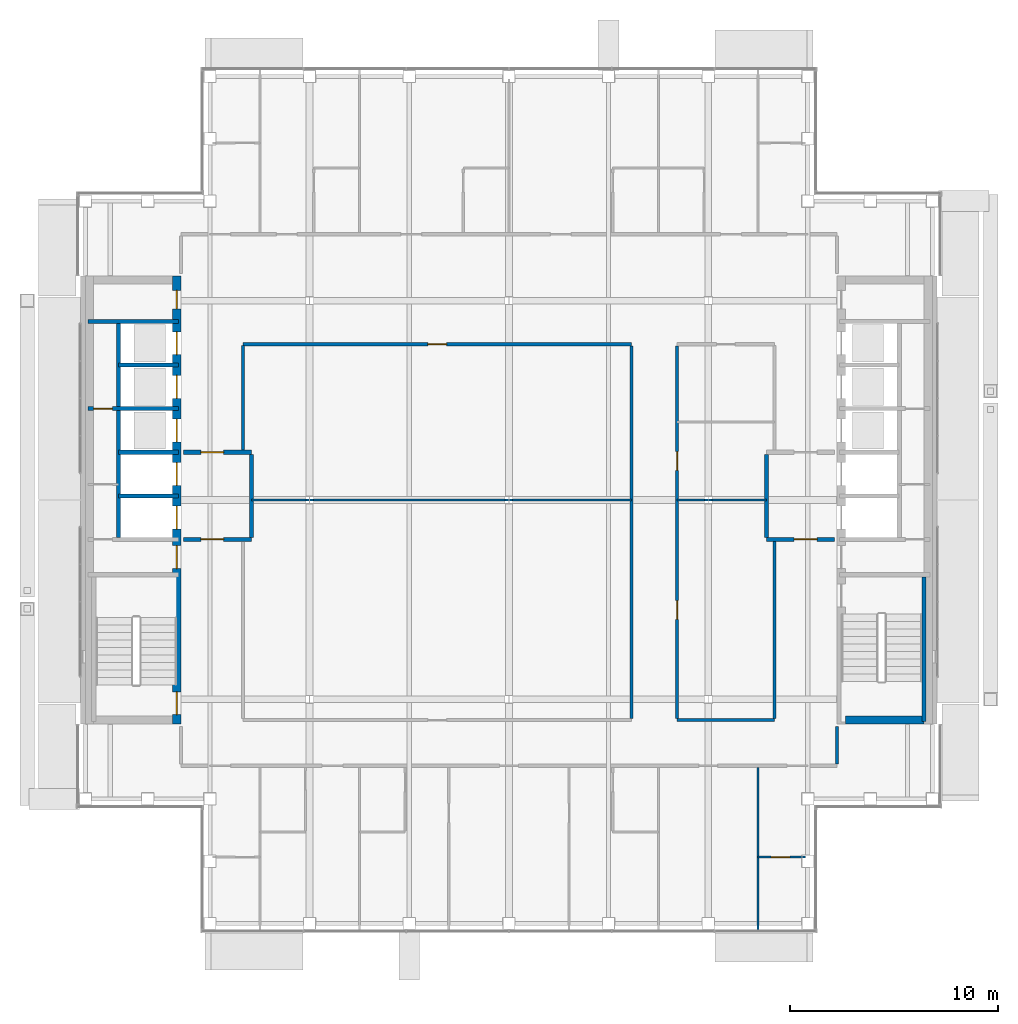
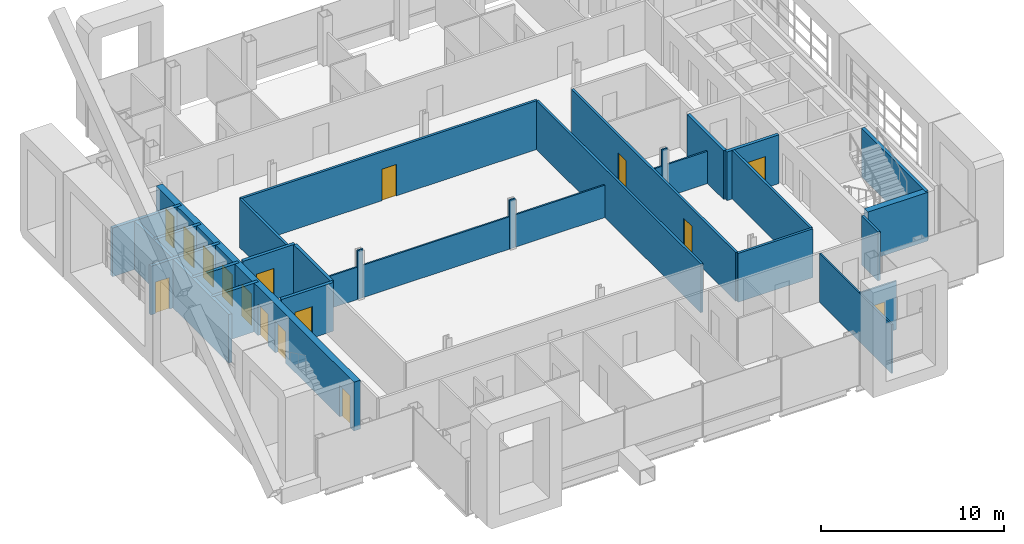
# One storey, part 13 of 23: 32 walls, 16 doors, 16 openings.
"""IFC4 building model written with IfcOpenShell, lengths in metres."""

from ifc_helpers import new_model, si_unit, direction, frame, frame_2d, origin, place, context, subcontext, project, spatial, rectangle, extrude, material, layer, layer_set, type_object, element, fill, save


model = new_model("IFC4")

# Units and contexts
model_context = context("Model", 3, precision=1e-05, world=origin(), true_north=direction((0.0, 1.0)))
body_context = subcontext(model_context, "Body", "Model", "MODEL_VIEW")
ifc_project = project(units=[si_unit("LENGTHUNIT", "METRE"), si_unit("AREAUNIT", "SQUARE_METRE"), si_unit("VOLUMEUNIT", "CUBIC_METRE"), si_unit("PLANEANGLEUNIT", "RADIAN"), si_unit("MASSUNIT", "GRAM", prefix="KILO")], contexts=[model_context])

# Site, building, storey
site_placement = place(None, origin())
site = spatial("IfcSite", under=ifc_project, at=site_placement, CompositionType="ELEMENT")
building_placement = place(site_placement, origin())
building = spatial("IfcBuilding", under=site, at=building_placement, Name="Cobrizo Arcos Hotel Tower", CompositionType="ELEMENT")
storey_placement = place(building_placement, frame((0.0, 0.0, 262.0)))
storey = spatial("IfcBuildingStorey", under=building, at=storey_placement, Name="L69", CompositionType="ELEMENT", Elevation=262.0)

# Wall
ifc_material_1 = material(Name="Gypsum board partition")
ifc_layer_1 = layer(ifc_material_1, 0.14990234375)
ifc_layer_set_1 = layer_set([ifc_layer_1], Name="Corridor wall EI 60 150")
wall_type_1 = type_object("IfcWallType", Name="Corridor wall EI 60 150", PredefinedType="PARTITIONING", material=ifc_layer_set_1)
wall_1_placement = place(storey_placement, frame((8.10009765625, -10.60009765625, 0.0), z_axis=(0.0, 0.0, 1.0), x_axis=(1.0, 0.0, 0.0)))
element("IfcWall", 1, at=wall_1_placement, inside=storey, type_object=wall_type_1, Name="Partition 008", PredefinedType="PARTITIONING", context=body_context, shape_type="SweptSolid", body=[
    extrude(rectangle(XDim=4.699951171875, YDim=0.14990234375, at=frame_2d((2.35009765625, 0.0))), origin(), (0.0, 0.0, 1.0), 3.25),
])

# Wall, opening, door
wall_2_placement = place(storey_placement, frame((-12.800048828125, 7.5, 0.0), z_axis=(0.0, 0.0, 1.0), x_axis=(1.0, 0.0, 0.0)))
wall_2 = element("IfcWall", 2, at=wall_2_placement, inside=storey, type_object=wall_type_1, Name="Partition 036", PredefinedType="PARTITIONING", context=body_context, shape_type="SweptSolid", body=[
    extrude(rectangle(XDim=18.699951171875, YDim=0.14990234375, at=frame_2d((9.35009765625, 0.0))), origin(), (0.0, 0.0, 1.0), 3.25),
])
opening_1_placement = place(wall_2_placement, frame((8.89990234375, 0.0, 0.0)))
opening_1 = element("IfcOpeningElement", 3, at=opening_1_placement, cuts=wall_2, Name="Opening RD-14", PredefinedType="OPENING", context=body_context, shape_type="SweptSolid", body=[
    extrude(rectangle(XDim=0.89990234375, YDim=2.10009765625, at=frame_2d((0.449951171875, 1.050048828125))), frame((0.0, 0.0869140625, 0.0), z_axis=(0.0, -1.0, 0.0), x_axis=(1.0, 0.0, 0.0)), (0.0, 0.0, 1.0), 0.173828125),
])
ifc_material_2 = material(Name="Timber door leaf", Category="wood")
door_type_1 = type_object("IfcDoorType", Name="Room door FD30 900x2100", OperationType="SINGLE_SWING_LEFT", PredefinedType="DOOR", material=ifc_material_2)
door_1_placement = place(opening_1_placement, origin())
door_1 = element("IfcDoor", 4, at=door_1_placement, inside=storey, type_object=door_type_1, Name="Door RD-14", OperationType="SINGLE_SWING_RIGHT", OverallHeight=2.10009765625, OverallWidth=0.89990234375, PredefinedType="DOOR", context=body_context, shape_type="SweptSolid", body=[
    extrude(rectangle(XDim=0.89990234375, YDim=2.10009765625, at=frame_2d((0.449951171875, 1.050048828125))), frame((0.0, 0.02490234375, 0.0), z_axis=(0.0, -1.0, 0.0), x_axis=(1.0, 0.0, 0.0)), (0.0, 0.0, 1.0), 0.050048828125),
])
fill(opening_1, door_1)

# Walls
wall_3_placement = place(storey_placement, frame((-12.800048828125, 2.39990234375, 0.0), z_axis=(0.0, 0.0, 1.0), x_axis=(0.0, 1.0, 0.0)))
element("IfcWall", 5, at=wall_3_placement, inside=storey, type_object=wall_type_1, Name="Partition 052", PredefinedType="PARTITIONING", context=body_context, shape_type="SweptSolid", body=[
    extrude(rectangle(XDim=5.050048828125, YDim=0.14990234375, at=frame_2d((2.52490234375, 0.0))), origin(), (0.0, 0.0, 1.0), 3.25),
])
wall_4_placement = place(storey_placement, frame((5.89990234375, -10.52490234375, 0.0), z_axis=(0.0, 0.0, 1.0), x_axis=(0.0, 1.0, 0.0)))
element("IfcWall", 6, at=wall_4_placement, inside=storey, type_object=wall_type_1, Name="Partition 067", PredefinedType="PARTITIONING", context=body_context, shape_type="SweptSolid", body=[
    extrude(rectangle(XDim=17.949951171875, YDim=0.14990234375, at=frame_2d((8.97509765625, 0.0))), origin(), (0.0, 0.0, 1.0), 3.25),
])

# Wall, openings, doors
wall_5_placement = place(storey_placement, frame((8.10009765625, -10.52490234375, 0.0), z_axis=(0.0, 0.0, 1.0), x_axis=(0.0, 1.0, 0.0)))
wall_5 = element("IfcWall", 7, at=wall_5_placement, inside=storey, type_object=wall_type_1, Name="Partition 071", PredefinedType="PARTITIONING", context=body_context, shape_type="SweptSolid", body=[
    extrude(rectangle(XDim=17.949951171875, YDim=0.14990234375, at=frame_2d((8.97509765625, 0.0))), origin(), (0.0, 0.0, 1.0), 3.25),
])
opening_2_placement = place(wall_5_placement, frame((11.949951171875, 0.0, 0.0)))
opening_2 = element("IfcOpeningElement", 8, at=opening_2_placement, cuts=wall_5, Name="Opening ED-12", PredefinedType="OPENING", context=body_context, shape_type="SweptSolid", body=[
    extrude(rectangle(XDim=0.89990234375, YDim=2.10009765625, at=frame_2d((0.449951171875, 1.050048828125))), frame((0.0, 0.0869140625, 0.0), z_axis=(0.0, -1.0, 0.0), x_axis=(1.0, 0.0, 0.0)), (0.0, 0.0, 1.0), 0.173828125),
])
opening_3_placement = place(wall_5_placement, frame((4.77490234375, 0.0, 0.0)))
opening_3 = element("IfcOpeningElement", 9, at=opening_3_placement, cuts=wall_5, Name="Opening RD-13", PredefinedType="OPENING", context=body_context, shape_type="SweptSolid", body=[
    extrude(rectangle(XDim=0.89990234375, YDim=2.10009765625, at=frame_2d((0.449951171875, 1.050048828125))), frame((0.0, 0.0869140625, 0.0), z_axis=(0.0, -1.0, 0.0), x_axis=(1.0, 0.0, 0.0)), (0.0, 0.0, 1.0), 0.173828125),
])
door_type_2 = type_object("IfcDoorType", Name="En-suite door 900x2100", OperationType="SINGLE_SWING_LEFT", PredefinedType="DOOR", material=ifc_material_2)
door_2_placement = place(opening_2_placement, origin())
door_2 = element("IfcDoor", 10, at=door_2_placement, inside=storey, type_object=door_type_2, Name="Door ED-12", OperationType="SINGLE_SWING_RIGHT", OverallHeight=2.10009765625, OverallWidth=0.89990234375, PredefinedType="DOOR", context=body_context, shape_type="SweptSolid", body=[
    extrude(rectangle(XDim=0.89990234375, YDim=2.10009765625, at=frame_2d((0.449951171875, 1.050048828125))), frame((0.0, 0.02490234375, 0.0), z_axis=(0.0, -1.0, 0.0), x_axis=(1.0, 0.0, 0.0)), (0.0, 0.0, 1.0), 0.050048828125),
])
fill(opening_2, door_2)
door_3_placement = place(opening_3_placement, origin())
door_3 = element("IfcDoor", 11, at=door_3_placement, inside=storey, type_object=door_type_1, Name="Door RD-13", OperationType="SINGLE_SWING_LEFT", OverallHeight=2.10009765625, OverallWidth=0.89990234375, PredefinedType="DOOR", context=body_context, shape_type="SweptSolid", body=[
    extrude(rectangle(XDim=0.89990234375, YDim=2.10009765625, at=frame_2d((0.449951171875, 1.050048828125))), frame((0.0, 0.02490234375, 0.0), z_axis=(0.0, -1.0, 0.0), x_axis=(1.0, 0.0, 0.0)), (0.0, 0.0, 1.0), 0.050048828125),
])
fill(opening_3, door_3)

# Walls
wall_6_placement = place(storey_placement, frame((12.800048828125, -10.52490234375, 0.0), z_axis=(0.0, 0.0, 1.0), x_axis=(0.0, 1.0, 0.0)))
element("IfcWall", 12, at=wall_6_placement, inside=storey, type_object=wall_type_1, Name="Partition 076", PredefinedType="PARTITIONING", context=body_context, shape_type="SweptSolid", body=[
    extrude(rectangle(XDim=8.52490234375, YDim=0.14990234375, at=frame_2d((4.262451171875, 0.0))), origin(), (0.0, 0.0, 1.0), 3.25),
])
wall_7_placement = place(storey_placement, frame((15.800048828125, -12.72509765625, 0.0), z_axis=(0.0, 0.0, 1.0), x_axis=(0.0, 1.0, 0.0)))
element("IfcWall", 13, at=wall_7_placement, inside=storey, type_object=wall_type_1, Name="Partition 078", PredefinedType="PARTITIONING", context=body_context, shape_type="SweptSolid", body=[
    extrude(rectangle(XDim=1.80517578125, YDim=0.14990234375, at=frame_2d((0.902587890625, 0.0))), origin(), (0.0, 0.0, 1.0), 3.25),
])

# Wall, opening, door
ifc_layer_2 = layer(ifc_material_1, 0.10009765625)
ifc_layer_set_2 = layer_set([ifc_layer_2], Name="Partition EI 30 100")
wall_type_2 = type_object("IfcWallType", Name="Partition EI 30 100", PredefinedType="PARTITIONING", material=ifc_layer_set_2)
wall_8_placement = place(storey_placement, frame((12.0, -17.199951171875, 0.0), z_axis=(0.0, 0.0, 1.0), x_axis=(1.0, 0.0, 0.0)))
wall_8 = element("IfcWall", 14, at=wall_8_placement, inside=storey, type_object=wall_type_2, Name="Partition 002", PredefinedType="PARTITIONING", context=body_context, shape_type="SweptSolid", body=[
    extrude(rectangle(XDim=2.280029296875, YDim=0.10009765625, at=frame_2d((1.14013671875, 0.0))), origin(), (0.0, 0.0, 1.0), 3.25),
])
opening_4_placement = place(wall_8_placement, frame((0.6298828125, 0.0, 0.0)))
opening_4 = element("IfcOpeningElement", 15, at=opening_4_placement, cuts=wall_8, Name="Opening ED-10", PredefinedType="OPENING", context=body_context, shape_type="SweptSolid", body=[
    extrude(rectangle(XDim=0.89990234375, YDim=2.10009765625, at=frame_2d((0.449951171875, 1.050048828125))), frame((0.0, 0.06201171875, 0.0), z_axis=(0.0, -1.0, 0.0), x_axis=(1.0, 0.0, 0.0)), (0.0, 0.0, 1.0), 0.1240234375),
])
door_4_placement = place(opening_4_placement, origin())
door_4 = element("IfcDoor", 16, at=door_4_placement, inside=storey, type_object=door_type_2, Name="Door ED-10", OperationType="SINGLE_SWING_RIGHT", OverallHeight=2.10009765625, OverallWidth=0.89990234375, PredefinedType="DOOR", context=body_context, shape_type="SweptSolid", body=[
    extrude(rectangle(XDim=0.89990234375, YDim=2.10009765625, at=frame_2d((0.449951171875, 1.050048828125))), frame((0.0, 0.02490234375, 0.0), z_axis=(0.0, -1.0, 0.0), x_axis=(1.0, 0.0, 0.0)), (0.0, 0.0, 1.0), 0.050048828125),
])
fill(opening_4, door_4)

# Walls
wall_9_placement = place(storey_placement, frame((-12.39990234375, 0.0, 0.0), z_axis=(0.0, 0.0, 1.0), x_axis=(1.0, 0.0, 0.0)))
element("IfcWall", 17, at=wall_9_placement, inside=storey, type_object=wall_type_2, Name="Partition 015", PredefinedType="PARTITIONING", context=body_context, shape_type="SweptSolid", body=[
    extrude(rectangle(XDim=2.615966796875, YDim=0.10009765625, at=frame_2d((1.30810546875, 0.0))), origin(), (0.0, 0.0, 1.0), 2.159912109375),
])
wall_10_placement = place(storey_placement, frame((-9.783935546875, 0.0, 0.0), z_axis=(0.0, 0.0, 1.0), x_axis=(1.0, 0.0, 0.0)))
element("IfcWall", 18, at=wall_10_placement, inside=storey, type_object=wall_type_2, Name="Partition 016", PredefinedType="PARTITIONING", context=body_context, shape_type="SweptSolid", body=[
    extrude(rectangle(XDim=0.367919921875, YDim=0.10009765625, at=frame_2d((0.18408203125, 0.0))), origin(), (0.0, 0.0, 1.0), 3.25),
])
wall_11_placement = place(storey_placement, frame((-9.416015625, 0.0, 0.0), z_axis=(0.0, 0.0, 1.0), x_axis=(1.0, 0.0, 0.0)))
element("IfcWall", 19, at=wall_11_placement, inside=storey, type_object=wall_type_2, Name="Partition 017", PredefinedType="PARTITIONING", context=body_context, shape_type="SweptSolid", body=[
    extrude(rectangle(XDim=9.23193359375, YDim=0.10009765625, at=frame_2d((4.615966796875, 0.0))), origin(), (0.0, 0.0, 1.0), 2.159912109375),
])
wall_12_placement = place(storey_placement, frame((-0.18408203125, 0.0, 0.0), z_axis=(0.0, 0.0, 1.0), x_axis=(1.0, 0.0, 0.0)))
element("IfcWall", 20, at=wall_12_placement, inside=storey, type_object=wall_type_2, Name="Partition 018", PredefinedType="PARTITIONING", context=body_context, shape_type="SweptSolid", body=[
    extrude(rectangle(XDim=0.3681640625, YDim=0.10009765625, at=frame_2d((0.18408203125, 0.0))), origin(), (0.0, 0.0, 1.0), 3.25),
])
wall_13_placement = place(storey_placement, frame((0.18408203125, 0.0, 0.0), z_axis=(0.0, 0.0, 1.0), x_axis=(1.0, 0.0, 0.0)))
element("IfcWall", 21, at=wall_13_placement, inside=storey, type_object=wall_type_2, Name="Partition 019", PredefinedType="PARTITIONING", context=body_context, shape_type="SweptSolid", body=[
    extrude(rectangle(XDim=5.7158203125, YDim=0.10009765625, at=frame_2d((2.85791015625, 0.0))), origin(), (0.0, 0.0, 1.0), 2.159912109375),
])
wall_14_placement = place(storey_placement, frame((8.10009765625, 0.0, 0.0), z_axis=(0.0, 0.0, 1.0), x_axis=(1.0, 0.0, 0.0)))
element("IfcWall", 22, at=wall_14_placement, inside=storey, type_object=wall_type_2, Name="Partition 020", PredefinedType="PARTITIONING", context=body_context, shape_type="SweptSolid", body=[
    extrude(rectangle(XDim=1.31591796875, YDim=0.10009765625, at=frame_2d((0.657958984375, 0.0))), origin(), (0.0, 0.0, 1.0), 2.159912109375),
])
wall_15_placement = place(storey_placement, frame((9.416015625, 0.0, 0.0), z_axis=(0.0, 0.0, 1.0), x_axis=(1.0, 0.0, 0.0)))
element("IfcWall", 23, at=wall_15_placement, inside=storey, type_object=wall_type_2, Name="Partition 021", PredefinedType="PARTITIONING", context=body_context, shape_type="SweptSolid", body=[
    extrude(rectangle(XDim=0.367919921875, YDim=0.10009765625, at=frame_2d((0.18408203125, 0.0))), origin(), (0.0, 0.0, 1.0), 3.25),
])
wall_16_placement = place(storey_placement, frame((9.783935546875, 0.0, 0.0), z_axis=(0.0, 0.0, 1.0), x_axis=(1.0, 0.0, 0.0)))
element("IfcWall", 24, at=wall_16_placement, inside=storey, type_object=wall_type_2, Name="Partition 022", PredefinedType="PARTITIONING", context=body_context, shape_type="SweptSolid", body=[
    extrude(rectangle(XDim=2.615966796875, YDim=0.10009765625, at=frame_2d((1.30810546875, 0.0))), origin(), (0.0, 0.0, 1.0), 2.159912109375),
])
wall_17_placement = place(storey_placement, frame((12.0, -20.72998046875, 0.0), z_axis=(0.0, 0.0, 1.0), x_axis=(0.0, 1.0, 0.0)))
element("IfcWall", 25, at=wall_17_placement, inside=storey, type_object=wall_type_2, Name="Partition 073", PredefinedType="PARTITIONING", context=body_context, shape_type="SweptSolid", body=[
    extrude(rectangle(XDim=7.85498046875, YDim=0.10009765625, at=frame_2d((3.927490234375, 0.0))), origin(), (0.0, 0.0, 1.0), 3.25),
])
ifc_material_3 = material(Name="Concrete f'c 40 MPa", Category="concrete")
ifc_layer_3 = layer(ifc_material_3, 0.39990234375)
ifc_layer_set_3 = layer_set([ifc_layer_3], Name="RC core wall 400 f'c 40")
wall_type_3 = type_object("IfcWallType", Name="RC core wall 400 f'c 40", PredefinedType="SHEAR", material=ifc_layer_set_3)
wall_18_placement = place(storey_placement, frame((16.199951171875, -10.60009765625, 0.0), z_axis=(0.0, 0.0, 1.0), x_axis=(1.0, 0.0, 0.0)))
element("IfcWall", 26, at=wall_18_placement, inside=storey, type_object=wall_type_3, Name="Core wall CW4, east core, south end, L69", PredefinedType="SHEAR", context=body_context, shape_type="SweptSolid", body=[
    extrude(rectangle(XDim=3.800048828125, YDim=0.39990234375, at=frame_2d((1.89990234375, 0.0))), origin(), (0.0, 0.0, 1.0), 3.25),
])

# Wall, openings, doors
wall_19_placement = place(storey_placement, frame((-16.0, -10.800048828125, 0.0), z_axis=(0.0, 0.0, 1.0), x_axis=(0.0, 1.0, 0.0)))
wall_19 = element("IfcWall", 27, at=wall_19_placement, inside=storey, type_object=wall_type_3, Name="Core wall CW4, west core, inner face, L69", PredefinedType="SHEAR", context=body_context, shape_type="SweptSolid", body=[
    extrude(rectangle(XDim=21.60009765625, YDim=0.39990234375, at=frame_2d((10.800048828125, 0.0))), origin(), (0.0, 0.0, 1.0), 3.25),
])
opening_5_placement = place(wall_19_placement, frame((9.39990234375, 0.0, 0.0)))
opening_5 = element("IfcOpeningElement", 28, at=opening_5_placement, cuts=wall_19, Name="Opening LD-01", PredefinedType="OPENING", context=body_context, shape_type="SweptSolid", body=[
    extrude(rectangle(XDim=1.10009765625, YDim=2.10009765625, at=frame_2d((0.550048828125, 1.050048828125))), frame((0.0, 0.2119140625, 0.0), z_axis=(0.0, -1.0, 0.0), x_axis=(1.0, 0.0, 0.0)), (0.0, 0.0, 1.0), 0.423828125),
])
opening_6_placement = place(wall_19_placement, frame((11.5, 0.0, 0.0)))
opening_6 = element("IfcOpeningElement", 29, at=opening_6_placement, cuts=wall_19, Name="Opening LD-02", PredefinedType="OPENING", context=body_context, shape_type="SweptSolid", body=[
    extrude(rectangle(XDim=1.10009765625, YDim=2.10009765625, at=frame_2d((0.550048828125, 1.050048828125))), frame((0.0, 0.2119140625, 0.0), z_axis=(0.0, -1.0, 0.0), x_axis=(1.0, 0.0, 0.0)), (0.0, 0.0, 1.0), 0.423828125),
])
opening_7_placement = place(wall_19_placement, frame((13.60009765625, 0.0, 0.0)))
opening_7 = element("IfcOpeningElement", 30, at=opening_7_placement, cuts=wall_19, Name="Opening LD-03", PredefinedType="OPENING", context=body_context, shape_type="SweptSolid", body=[
    extrude(rectangle(XDim=1.10009765625, YDim=2.10009765625, at=frame_2d((0.550048828125, 1.050048828125))), frame((0.0, 0.2119140625, 0.0), z_axis=(0.0, -1.0, 0.0), x_axis=(1.0, 0.0, 0.0)), (0.0, 0.0, 1.0), 0.423828125),
])
opening_8_placement = place(wall_19_placement, frame((15.699951171875, 0.0, 0.0)))
opening_8 = element("IfcOpeningElement", 31, at=opening_8_placement, cuts=wall_19, Name="Opening LD-04", PredefinedType="OPENING", context=body_context, shape_type="SweptSolid", body=[
    extrude(rectangle(XDim=1.10009765625, YDim=2.10009765625, at=frame_2d((0.550048828125, 1.050048828125))), frame((0.0, 0.2119140625, 0.0), z_axis=(0.0, -1.0, 0.0), x_axis=(1.0, 0.0, 0.0)), (0.0, 0.0, 1.0), 0.423828125),
])
opening_9_placement = place(wall_19_placement, frame((17.800048828125, 0.0, 0.0)))
opening_9 = element("IfcOpeningElement", 32, at=opening_9_placement, cuts=wall_19, Name="Opening LD-05", PredefinedType="OPENING", context=body_context, shape_type="SweptSolid", body=[
    extrude(rectangle(XDim=1.10009765625, YDim=2.10009765625, at=frame_2d((0.550048828125, 1.050048828125))), frame((0.0, 0.2119140625, 0.0), z_axis=(0.0, -1.0, 0.0), x_axis=(1.0, 0.0, 0.0)), (0.0, 0.0, 1.0), 0.423828125),
])
opening_10_placement = place(wall_19_placement, frame((0.4580078125, 0.0, 0.0)))
opening_10 = element("IfcOpeningElement", 33, at=opening_10_placement, cuts=wall_19, Name="Opening SD-01", PredefinedType="OPENING", context=body_context, shape_type="SweptSolid", body=[
    extrude(rectangle(XDim=1.10009765625, YDim=2.10009765625, at=frame_2d((0.550048828125, 1.050048828125))), frame((0.0, 0.2119140625, 0.0), z_axis=(0.0, -1.0, 0.0), x_axis=(1.0, 0.0, 0.0)), (0.0, 0.0, 1.0), 0.423828125),
])
opening_11_placement = place(wall_19_placement, frame((7.5, 0.0, 0.0)))
opening_11 = element("IfcOpeningElement", 34, at=opening_11_placement, cuts=wall_19, Name="Opening FD-01", PredefinedType="OPENING", context=body_context, shape_type="SweptSolid", body=[
    extrude(rectangle(XDim=1.10009765625, YDim=2.10009765625, at=frame_2d((0.550048828125, 1.050048828125))), frame((0.0, 0.2119140625, 0.0), z_axis=(0.0, -1.0, 0.0), x_axis=(1.0, 0.0, 0.0)), (0.0, 0.0, 1.0), 0.423828125),
])
opening_12_placement = place(wall_19_placement, frame((20.0, 0.0, 0.0)))
opening_12 = element("IfcOpeningElement", 35, at=opening_12_placement, cuts=wall_19, Name="Opening RD-01", PredefinedType="OPENING", context=body_context, shape_type="SweptSolid", body=[
    extrude(rectangle(XDim=0.89990234375, YDim=2.10009765625, at=frame_2d((0.449951171875, 1.050048828125))), frame((0.0, 0.2119140625, 0.0), z_axis=(0.0, -1.0, 0.0), x_axis=(1.0, 0.0, 0.0)), (0.0, 0.0, 1.0), 0.423828125),
])
ifc_material_4 = material(Name="Steel door leaf", Category="steel")
door_type_3 = type_object("IfcDoorType", Name="Fire door FD60 1100x2100", OperationType="SINGLE_SWING_LEFT", PredefinedType="DOOR", material=ifc_material_4)
door_5_placement = place(opening_11_placement, origin())
door_5 = element("IfcDoor", 36, at=door_5_placement, inside=storey, type_object=door_type_3, Name="Door FD-01", OperationType="SINGLE_SWING_LEFT", OverallHeight=2.10009765625, OverallWidth=1.10009765625, PredefinedType="DOOR", context=body_context, shape_type="SweptSolid", body=[
    extrude(rectangle(XDim=1.10009765625, YDim=2.10009765625, at=frame_2d((0.550048828125, 1.050048828125))), frame((0.0, 0.02490234375, 0.0), z_axis=(0.0, -1.0, 0.0), x_axis=(1.0, 0.0, 0.0)), (0.0, 0.0, 1.0), 0.050048828125),
])
fill(opening_11, door_5)
door_type_4 = type_object("IfcDoorType", Name="Lift landing door 1100x2100", OperationType="SLIDING_TO_LEFT", PredefinedType="DOOR", material=ifc_material_4)
door_6_placement = place(opening_5_placement, origin())
door_6 = element("IfcDoor", 37, at=door_6_placement, inside=storey, type_object=door_type_4, Name="Lift landing door LD-01", OperationType="SLIDING_TO_LEFT", OverallHeight=2.10009765625, OverallWidth=1.10009765625, PredefinedType="DOOR", context=body_context, shape_type="SweptSolid", body=[
    extrude(rectangle(XDim=1.10009765625, YDim=2.10009765625, at=frame_2d((0.550048828125, 1.050048828125))), frame((0.0, 0.02490234375, 0.0), z_axis=(0.0, -1.0, 0.0), x_axis=(1.0, 0.0, 0.0)), (0.0, 0.0, 1.0), 0.050048828125),
])
fill(opening_5, door_6)
door_7_placement = place(opening_6_placement, origin())
door_7 = element("IfcDoor", 38, at=door_7_placement, inside=storey, type_object=door_type_4, Name="Lift landing door LD-02", OperationType="SLIDING_TO_LEFT", OverallHeight=2.10009765625, OverallWidth=1.10009765625, PredefinedType="DOOR", context=body_context, shape_type="SweptSolid", body=[
    extrude(rectangle(XDim=1.10009765625, YDim=2.10009765625, at=frame_2d((0.550048828125, 1.050048828125))), frame((0.0, 0.02490234375, 0.0), z_axis=(0.0, -1.0, 0.0), x_axis=(1.0, 0.0, 0.0)), (0.0, 0.0, 1.0), 0.050048828125),
])
fill(opening_6, door_7)
door_8_placement = place(opening_7_placement, origin())
door_8 = element("IfcDoor", 39, at=door_8_placement, inside=storey, type_object=door_type_4, Name="Lift landing door LD-03", OperationType="SLIDING_TO_LEFT", OverallHeight=2.10009765625, OverallWidth=1.10009765625, PredefinedType="DOOR", context=body_context, shape_type="SweptSolid", body=[
    extrude(rectangle(XDim=1.10009765625, YDim=2.10009765625, at=frame_2d((0.550048828125, 1.050048828125))), frame((0.0, 0.02490234375, 0.0), z_axis=(0.0, -1.0, 0.0), x_axis=(1.0, 0.0, 0.0)), (0.0, 0.0, 1.0), 0.050048828125),
])
fill(opening_7, door_8)
door_9_placement = place(opening_8_placement, origin())
door_9 = element("IfcDoor", 40, at=door_9_placement, inside=storey, type_object=door_type_4, Name="Lift landing door LD-04", OperationType="SLIDING_TO_LEFT", OverallHeight=2.10009765625, OverallWidth=1.10009765625, PredefinedType="DOOR", context=body_context, shape_type="SweptSolid", body=[
    extrude(rectangle(XDim=1.10009765625, YDim=2.10009765625, at=frame_2d((0.550048828125, 1.050048828125))), frame((0.0, 0.02490234375, 0.0), z_axis=(0.0, -1.0, 0.0), x_axis=(1.0, 0.0, 0.0)), (0.0, 0.0, 1.0), 0.050048828125),
])
fill(opening_8, door_9)
door_10_placement = place(opening_9_placement, origin())
door_10 = element("IfcDoor", 41, at=door_10_placement, inside=storey, type_object=door_type_4, Name="Lift landing door LD-05", OperationType="SLIDING_TO_LEFT", OverallHeight=2.10009765625, OverallWidth=1.10009765625, PredefinedType="DOOR", context=body_context, shape_type="SweptSolid", body=[
    extrude(rectangle(XDim=1.10009765625, YDim=2.10009765625, at=frame_2d((0.550048828125, 1.050048828125))), frame((0.0, 0.02490234375, 0.0), z_axis=(0.0, -1.0, 0.0), x_axis=(1.0, 0.0, 0.0)), (0.0, 0.0, 1.0), 0.050048828125),
])
fill(opening_9, door_10)
door_11_placement = place(opening_12_placement, origin())
door_11 = element("IfcDoor", 42, at=door_11_placement, inside=storey, type_object=door_type_1, Name="Door RD-01", OperationType="SINGLE_SWING_LEFT", OverallHeight=2.10009765625, OverallWidth=0.89990234375, PredefinedType="DOOR", context=body_context, shape_type="SweptSolid", body=[
    extrude(rectangle(XDim=0.89990234375, YDim=2.10009765625, at=frame_2d((0.449951171875, 1.050048828125))), frame((0.0, 0.02490234375, 0.0), z_axis=(0.0, -1.0, 0.0), x_axis=(1.0, 0.0, 0.0)), (0.0, 0.0, 1.0), 0.050048828125),
])
fill(opening_12, door_11)
door_type_5 = type_object("IfcDoorType", Name="Stair door FD60S 1100x2100", OperationType="SINGLE_SWING_LEFT", PredefinedType="DOOR", material=ifc_material_4)
door_12_placement = place(opening_10_placement, origin())
door_12 = element("IfcDoor", 43, at=door_12_placement, inside=storey, type_object=door_type_5, Name="Door SD-01", OperationType="SINGLE_SWING_RIGHT", OverallHeight=2.10009765625, OverallWidth=1.10009765625, PredefinedType="DOOR", context=body_context, shape_type="SweptSolid", body=[
    extrude(rectangle(XDim=1.10009765625, YDim=2.10009765625, at=frame_2d((0.550048828125, 1.050048828125))), frame((0.0, 0.02490234375, 0.0), z_axis=(0.0, -1.0, 0.0), x_axis=(1.0, 0.0, 0.0)), (0.0, 0.0, 1.0), 0.050048828125),
])
fill(opening_10, door_12)

# Wall, opening, door
ifc_layer_4 = layer(ifc_material_1, 0.199951171875)
ifc_layer_set_4 = layer_set([ifc_layer_4], Name="Shaft wall EI 120 200")
wall_type_4 = type_object("IfcWallType", Name="Shaft wall EI 120 200", PredefinedType="PARTITIONING", material=ifc_layer_set_4)
wall_20_placement = place(storey_placement, frame((-15.679931640625, -1.89990234375, 0.0), z_axis=(0.0, 0.0, 1.0), x_axis=(1.0, 0.0, 0.0)))
wall_20 = element("IfcWall", 44, at=wall_20_placement, inside=storey, type_object=wall_type_4, Name="Partition 012", PredefinedType="PARTITIONING", context=body_context, shape_type="SweptSolid", body=[
    extrude(rectangle(XDim=3.280029296875, YDim=0.199951171875, at=frame_2d((1.64013671875, 0.0))), origin(), (0.0, 0.0, 1.0), 3.25),
])
opening_13_placement = place(wall_20_placement, frame((0.840087890625, 0.0, 0.0)))
opening_13 = element("IfcOpeningElement", 45, at=opening_13_placement, cuts=wall_20, Name="Opening FD-03", PredefinedType="OPENING", context=body_context, shape_type="SweptSolid", body=[
    extrude(rectangle(XDim=1.10009765625, YDim=2.10009765625, at=frame_2d((0.550048828125, 1.050048828125))), frame((0.0, 0.112060546875, 0.0), z_axis=(0.0, -1.0, 0.0), x_axis=(1.0, 0.0, 0.0)), (0.0, 0.0, 1.0), 0.223876953125),
])
door_13_placement = place(opening_13_placement, origin())
door_13 = element("IfcDoor", 46, at=door_13_placement, inside=storey, type_object=door_type_3, Name="Door FD-03", OperationType="SINGLE_SWING_LEFT", OverallHeight=2.10009765625, OverallWidth=1.10009765625, PredefinedType="DOOR", context=body_context, shape_type="SweptSolid", body=[
    extrude(rectangle(XDim=1.10009765625, YDim=2.10009765625, at=frame_2d((0.550048828125, 1.050048828125))), frame((0.0, 0.02490234375, 0.0), z_axis=(0.0, -1.0, 0.0), x_axis=(1.0, 0.0, 0.0)), (0.0, 0.0, 1.0), 0.050048828125),
])
fill(opening_13, door_13)

wall_21_placement = place(storey_placement, frame((12.39990234375, -1.89990234375, 0.0), z_axis=(0.0, 0.0, 1.0), x_axis=(1.0, 0.0, 0.0)))
wall_21 = element("IfcWall", 47, at=wall_21_placement, inside=storey, type_object=wall_type_4, Name="Partition 013", PredefinedType="PARTITIONING", context=body_context, shape_type="SweptSolid", body=[
    extrude(rectangle(XDim=3.280029296875, YDim=0.199951171875, at=frame_2d((1.64013671875, 0.0))), origin(), (0.0, 0.0, 1.0), 3.25),
])
opening_14_placement = place(wall_21_placement, frame((1.340087890625, 0.0, 0.0)))
opening_14 = element("IfcOpeningElement", 48, at=opening_14_placement, cuts=wall_21, Name="Opening FD-06", PredefinedType="OPENING", context=body_context, shape_type="SweptSolid", body=[
    extrude(rectangle(XDim=1.10009765625, YDim=2.10009765625, at=frame_2d((0.550048828125, 1.050048828125))), frame((0.0, 0.112060546875, 0.0), z_axis=(0.0, -1.0, 0.0), x_axis=(1.0, 0.0, 0.0)), (0.0, 0.0, 1.0), 0.223876953125),
])
door_14_placement = place(opening_14_placement, origin())
door_14 = element("IfcDoor", 49, at=door_14_placement, inside=storey, type_object=door_type_3, Name="Door FD-06", OperationType="SINGLE_SWING_LEFT", OverallHeight=2.10009765625, OverallWidth=1.10009765625, PredefinedType="DOOR", context=body_context, shape_type="SweptSolid", body=[
    extrude(rectangle(XDim=1.10009765625, YDim=2.10009765625, at=frame_2d((0.550048828125, 1.050048828125))), frame((0.0, 0.02490234375, 0.0), z_axis=(0.0, -1.0, 0.0), x_axis=(1.0, 0.0, 0.0)), (0.0, 0.0, 1.0), 0.050048828125),
])
fill(opening_14, door_14)

# Walls
for number, where, z_axis, x_axis, name in (
    (50, (-18.800048828125, 0.199951171875, 0.0), (0.0, 0.0, 1.0), (1.0, 0.0, 0.0), "Partition 023"),
    (51, (-18.800048828125, 2.300048828125, 0.0), (0.0, 0.0, 1.0), (1.0, 0.0, 0.0), "Partition 027"),
):
    element("IfcWall", number, at=place(storey_placement, frame(where, z_axis=z_axis, x_axis=x_axis)), inside=storey, type_object=wall_type_4, Name=name, PredefinedType="PARTITIONING", context=body_context, shape_type="SweptSolid", body=[
        extrude(rectangle(XDim=2.880126953125, YDim=0.199951171875, at=frame_2d((1.43994140625, 0.0))), origin(), (0.0, 0.0, 1.0), 3.25),
    ])

# Wall, opening, door
wall_22_placement = place(storey_placement, frame((-15.679931640625, 2.300048828125, 0.0), z_axis=(0.0, 0.0, 1.0), x_axis=(1.0, 0.0, 0.0)))
wall_22 = element("IfcWall", 52, at=wall_22_placement, inside=storey, type_object=wall_type_4, Name="Partition 028", PredefinedType="PARTITIONING", context=body_context, shape_type="SweptSolid", body=[
    extrude(rectangle(XDim=3.280029296875, YDim=0.199951171875, at=frame_2d((1.64013671875, 0.0))), origin(), (0.0, 0.0, 1.0), 3.25),
])
opening_15_placement = place(wall_22_placement, frame((0.840087890625, 0.0, 0.0)))
opening_15 = element("IfcOpeningElement", 53, at=opening_15_placement, cuts=wall_22, Name="Opening FD-02", PredefinedType="OPENING", context=body_context, shape_type="SweptSolid", body=[
    extrude(rectangle(XDim=1.10009765625, YDim=2.10009765625, at=frame_2d((0.550048828125, 1.050048828125))), frame((0.0, 0.112060546875, 0.0), z_axis=(0.0, -1.0, 0.0), x_axis=(1.0, 0.0, 0.0)), (0.0, 0.0, 1.0), 0.223876953125),
])
door_15_placement = place(opening_15_placement, origin())
door_15 = element("IfcDoor", 54, at=door_15_placement, inside=storey, type_object=door_type_3, Name="Door FD-02", OperationType="SINGLE_SWING_RIGHT", OverallHeight=2.10009765625, OverallWidth=1.10009765625, PredefinedType="DOOR", context=body_context, shape_type="SweptSolid", body=[
    extrude(rectangle(XDim=1.10009765625, YDim=2.10009765625, at=frame_2d((0.550048828125, 1.050048828125))), frame((0.0, 0.02490234375, 0.0), z_axis=(0.0, -1.0, 0.0), x_axis=(1.0, 0.0, 0.0)), (0.0, 0.0, 1.0), 0.050048828125),
])
fill(opening_15, door_15)

wall_23_placement = place(storey_placement, frame((-20.280029296875, 4.39990234375, 0.0), z_axis=(0.0, 0.0, 1.0), x_axis=(1.0, 0.0, 0.0)))
wall_23 = element("IfcWall", 55, at=wall_23_placement, inside=storey, type_object=wall_type_4, Name="Partition 032", PredefinedType="PARTITIONING", context=body_context, shape_type="SweptSolid", body=[
    extrude(rectangle(XDim=4.360107421875, YDim=0.199951171875, at=frame_2d((2.18017578125, 0.0))), origin(), (0.0, 0.0, 1.0), 3.25),
])
opening_16_placement = place(wall_23_placement, frame((0.280029296875, 0.0, 0.0)))
opening_16 = element("IfcOpeningElement", 56, at=opening_16_placement, cuts=wall_23, Name="Opening RD-04", PredefinedType="OPENING", context=body_context, shape_type="SweptSolid", body=[
    extrude(rectangle(XDim=0.89990234375, YDim=2.10009765625, at=frame_2d((0.449951171875, 1.050048828125))), frame((0.0, 0.112060546875, 0.0), z_axis=(0.0, -1.0, 0.0), x_axis=(1.0, 0.0, 0.0)), (0.0, 0.0, 1.0), 0.223876953125),
])
door_16_placement = place(opening_16_placement, origin())
door_16 = element("IfcDoor", 57, at=door_16_placement, inside=storey, type_object=door_type_1, Name="Door RD-04", OperationType="SINGLE_SWING_LEFT", OverallHeight=2.10009765625, OverallWidth=0.89990234375, PredefinedType="DOOR", context=body_context, shape_type="SweptSolid", body=[
    extrude(rectangle(XDim=0.89990234375, YDim=2.10009765625, at=frame_2d((0.449951171875, 1.050048828125))), frame((0.0, 0.02490234375, 0.0), z_axis=(0.0, -1.0, 0.0), x_axis=(1.0, 0.0, 0.0)), (0.0, 0.0, 1.0), 0.050048828125),
])
fill(opening_16, door_16)

# Walls
wall_24_placement = place(storey_placement, frame((-18.800048828125, 6.5, 0.0), z_axis=(0.0, 0.0, 1.0), x_axis=(1.0, 0.0, 0.0)))
element("IfcWall", 58, at=wall_24_placement, inside=storey, type_object=wall_type_4, Name="Partition 034", PredefinedType="PARTITIONING", context=body_context, shape_type="SweptSolid", body=[
    extrude(rectangle(XDim=2.880126953125, YDim=0.199951171875, at=frame_2d((1.43994140625, 0.0))), origin(), (0.0, 0.0, 1.0), 3.25),
])
wall_25_placement = place(storey_placement, frame((-20.280029296875, 8.60009765625, 0.0), z_axis=(0.0, 0.0, 1.0), x_axis=(1.0, 0.0, 0.0)))
element("IfcWall", 59, at=wall_25_placement, inside=storey, type_object=wall_type_4, Name="Partition 038", PredefinedType="PARTITIONING", context=body_context, shape_type="SweptSolid", body=[
    extrude(rectangle(XDim=4.360107421875, YDim=0.199951171875, at=frame_2d((2.18017578125, 0.0))), origin(), (0.0, 0.0, 1.0), 3.25),
])
wall_26_placement = place(storey_placement, frame((-18.800048828125, -1.800048828125, 0.0), z_axis=(0.0, 0.0, 1.0), x_axis=(0.0, 1.0, 0.0)))
element("IfcWall", 60, at=wall_26_placement, inside=storey, type_object=wall_type_4, Name="Partition 047", PredefinedType="PARTITIONING", context=body_context, shape_type="SweptSolid", body=[
    extrude(rectangle(XDim=6.10009765625, YDim=0.199951171875, at=frame_2d((3.050048828125, 0.0))), origin(), (0.0, 0.0, 1.0), 3.25),
])
for number, where, z_axis, x_axis, name in (
    (61, (-18.800048828125, 4.5, 0.0), (0.0, 0.0, 1.0), (0.0, 1.0, 0.0), "Partition 048"),
    (62, (-12.39990234375, -1.800048828125, 0.0), (0.0, 0.0, 1.0), (0.0, 1.0, 0.0), "Partition 053"),
    (63, (12.39990234375, -1.800048828125, 0.0), (0.0, 0.0, 1.0), (0.0, 1.0, 0.0), "Partition 075"),
):
    element("IfcWall", number, at=place(storey_placement, frame(where, z_axis=z_axis, x_axis=x_axis)), inside=storey, type_object=wall_type_4, Name=name, PredefinedType="PARTITIONING", context=body_context, shape_type="SweptSolid", body=[
        extrude(rectangle(XDim=4.0, YDim=0.199951171875, at=frame_2d((2.0, 0.0))), origin(), (0.0, 0.0, 1.0), 3.25),
    ])
ifc_layer_5 = layer(ifc_material_3, 0.199951171875)
ifc_layer_set_5 = layer_set([ifc_layer_5], Name="Stair shaft wall 200")
wall_type_5 = type_object("IfcWallType", Name="Stair shaft wall 200", PredefinedType="SHEAR", material=ifc_layer_set_5)
wall_27_placement = place(storey_placement, frame((20.0, -10.679931640625, 0.0), z_axis=(0.0, 0.0, 1.0), x_axis=(0.0, 1.0, 0.0)))
element("IfcWall", 64, at=wall_27_placement, inside=storey, type_object=wall_type_5, Name="Stair shaft wall E", PredefinedType="SHEAR", context=body_context, shape_type="SweptSolid", body=[
    extrude(rectangle(XDim=6.97998046875, YDim=0.199951171875, at=frame_2d((3.489990234375, 0.0))), origin(), (0.0, 0.0, 1.0), 3.25),
])

save(model, "model.ifc")
